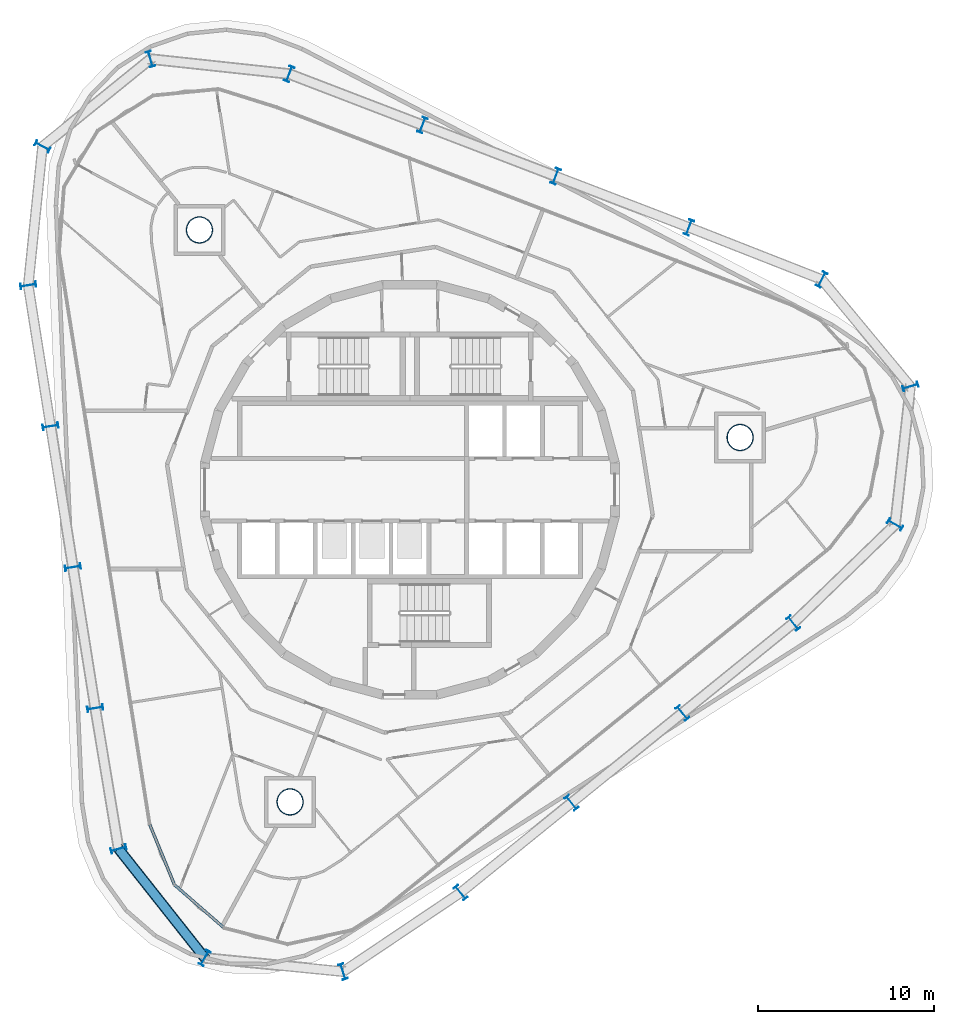
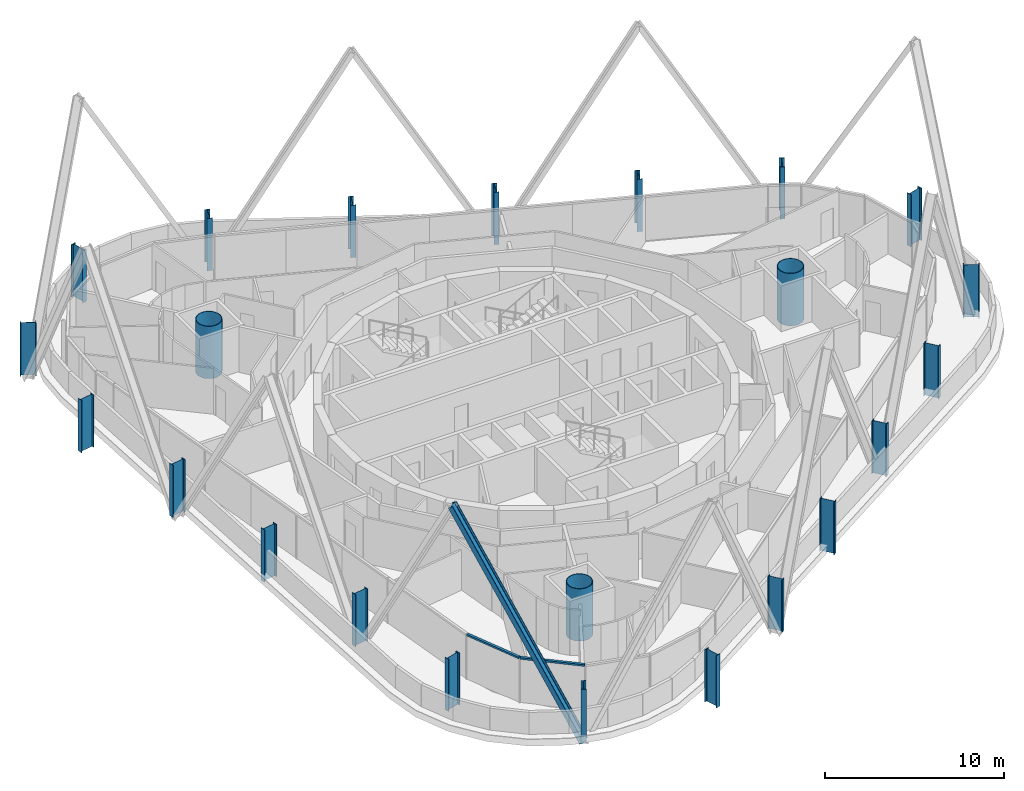
# One storey, part 1 of 19: 23 columns, 3 members, 1 element without a shape of its own.
"""IFC4 building model written with IfcOpenShell, lengths in metres."""

from ifc_helpers import new_model, si_unit, direction, frame, origin, origin_2d, place, context, subcontext, project, spatial, rectangle, hollow_circle, i_section, extrude, material, layer, layer_set, material_profile, profile_set, type_object, element, aggregate, save


model = new_model("IFC4")

# Units and contexts
model_context = context("Model", 3, precision=1e-05, world=origin(), true_north=direction((0.0, 1.0)))
body_context = subcontext(model_context, "Body", "Model", "MODEL_VIEW")
ifc_project = project(units=[si_unit("LENGTHUNIT", "METRE"), si_unit("AREAUNIT", "SQUARE_METRE"), si_unit("VOLUMEUNIT", "CUBIC_METRE"), si_unit("PLANEANGLEUNIT", "RADIAN"), si_unit("MASSUNIT", "GRAM", prefix="KILO")], contexts=[model_context])

# Site, building, storey
site_placement = place(None, origin())
site = spatial("IfcSite", under=ifc_project, at=site_placement, CompositionType="ELEMENT")
building_placement = place(site_placement, origin())
building = spatial("IfcBuilding", under=site, at=building_placement, Name="Spindle Arch Residences", CompositionType="ELEMENT")
storey_placement = place(building_placement, frame((0.0, 0.0, 263.39990234375)))
storey = spatial("IfcBuildingStorey", under=building, at=storey_placement, Name="L67", CompositionType="ELEMENT", Elevation=263.39990234375)

# Columns
ifc_material_1 = material(Name="Steel S460ML, intumescent coating R 240", Category="steel")
ifc_material_profile_1 = material_profile(ifc_material_1, i_section(OverallWidth=0.300048828125, OverallDepth=0.89990234375, WebThickness=0.0185546875, FlangeThickness=0.034912109375, FilletRadius=0.030029296875, at=origin_2d()), Name="HEB 900")
ifc_profile_set_1 = profile_set([ifc_material_profile_1], Name="Steel S460ML, intumescent coating R 240")
column_type_1 = type_object("IfcColumnType", Name="Exoskeleton post HEB 900", PredefinedType="COLUMN", material=ifc_profile_set_1)
for number, where, z_axis, x_axis, name in (
    (1, (15.48291015625, -12.67822265625, -0.449951171875), (0.0, 0.0, 1.0), (-0.777146167973, -0.629320136024, 0.0), "Exoskeleton post 1"),
    (2, (21.78369140625, -7.575927734375, -0.449951171875), (0.0, 0.0, 1.0), (-0.777146167973, -0.629320136024, 0.0), "Exoskeleton post 2"),
    (3, (27.56494140625, -1.975830078125, -0.449951171875), (0.0, 0.0, 1.0), (-0.489802299008, -0.871833532211, 0.0), "Exoskeleton post 3"),
    (4, (28.43505859375, 5.86767578125, -0.449951171875), (0.0, 0.0, 1.0), (0.286784074183, -0.957995247794, 0.0), "Exoskeleton post 4"),
    (5, (23.398193359375, 11.94287109375, -0.449951171875), (0.0, 0.0, 1.0), (0.888285893192, -0.45929094478, 0.0), "Exoskeleton post 5"),
    (6, (15.853515625, 14.9052734375, -0.449951171875), (0.0, 0.0, 1.0), (0.933580354843, -0.35836813621, 0.0), "Exoskeleton post 6"),
    (7, (8.2841796875, 17.810791015625, -0.449951171875), (0.0, 0.0, 1.0), (0.933580354843, -0.35836813621, 0.0), "Exoskeleton post 7"),
    (8, (0.715087890625, 20.71630859375, -0.449951171875), (0.0, 0.0, 1.0), (0.933580354843, -0.35836813621, 0.0), "Exoskeleton post 8"),
    (9, (-6.85400390625, 23.621826171875, -0.449951171875), (0.0, 0.0, 1.0), (0.933580354843, -0.35836813621, 0.0), "Exoskeleton post 9"),
    (10, (-14.7373046875, 24.468994140625, -0.449951171875), (0.0, 0.0, 1.0), (0.961245152333, 0.275695043693, 0.0), "Exoskeleton post 10"),
    (11, (-20.870361328125, 19.502685546875, -0.449951171875), (0.0, 0.0, 1.0), (0.469525073676, 0.882919138534, 0.0), "Exoskeleton post 11"),
    (12, (-21.6806640625, 11.615234375, -0.449951171875), (0.0, 0.0, 1.0), (-0.156434064006, 0.987688404113, 0.0), "Exoskeleton post 12"),
    (13, (-20.412353515625, 3.607666015625, -0.449951171875), (0.0, 0.0, 1.0), (-0.156434064006, 0.987688404113, 0.0), "Exoskeleton post 13"),
    (14, (-19.143798828125, -4.400146484375, -0.449951171875), (0.0, 0.0, 1.0), (-0.156434064006, 0.987688404113, 0.0), "Exoskeleton post 14"),
    (15, (-17.87548828125, -12.407958984375, -0.449951171875), (0.0, 0.0, 1.0), (-0.156434064006, 0.987688404113, 0.0), "Exoskeleton post 15"),
    (16, (-16.546630859375, -20.40380859375, -0.449951171875), (0.0, 0.0, 1.0), (-0.264568938302, 0.964366775084, 0.0), "Exoskeleton post 16"),
    (17, (-11.651611328125, -26.59375, -0.449951171875), (0.0, 0.0, 1.0), (-0.877434810632, 0.479695896472, 0.0), "Exoskeleton post 17"),
    (18, (-3.79833984375, -27.373291015625, -0.449951171875), (0.0, 0.0, 1.0), (-0.95461733225, -0.297835103654, 0.0), "Exoskeleton post 18"),
    (19, (2.88134765625, -22.8828125, -0.449951171875), (0.0, 0.0, 1.0), (-0.777146167973, -0.629320136024, 0.0), "Exoskeleton post 19"),
    (20, (9.18212890625, -17.780517578125, -0.449951171875), (0.0, 0.0, 1.0), (-0.777146167973, -0.629320136024, 0.0), "Exoskeleton post 20"),
):
    element("IfcColumn", number, at=place(storey_placement, frame(where, z_axis=z_axis, x_axis=x_axis)), inside=storey, type_object=column_type_1, Name=name, PredefinedType="COLUMN", context=body_context, shape_type="SweptSolid", body=[
        extrude(i_section(OverallWidth=0.300048828125, OverallDepth=0.89990234375, WebThickness=0.0185546875, FlangeThickness=0.034912109375, FilletRadius=0.030029296875, at=origin_2d()), origin(), (0.0, 0.0, 1.0), 3.570068359375),
    ])
ifc_material_2 = material(Name="Concrete C50/60 filled steel tube S460ML, intumescent coating R 240", Category="concrete")
ifc_material_profile_2 = material_profile(ifc_material_2, hollow_circle(Radius=0.75, WallThickness=0.034912109375, at=origin_2d()), Name="CFT D1500x35")
ifc_profile_set_2 = profile_set([ifc_material_profile_2], Name="Concrete C50/60 filled steel tube S460ML, intumescent coating R 240")
column_type_2 = type_object("IfcColumnType", Name="Mega-column CFT D1500x35", PredefinedType="COLUMN", material=ifc_profile_set_2)
for number, where, z_axis, x_axis, name in (
    (21, (18.759521484375, 2.97119140625, -0.449951171875), (0.0, 0.0, 1.0), (1.0, 0.0, 0.0), "Mega-column 1"),
    (22, (-11.952880859375, 14.760498046875, -0.449951171875), (0.0, 0.0, 1.0), (1.0, 0.0, 0.0), "Mega-column 2"),
    (23, (-6.806640625, -17.731689453125, -0.449951171875), (0.0, 0.0, 1.0), (1.0, 0.0, 0.0), "Mega-column 3"),
):
    element("IfcColumn", number, at=place(storey_placement, frame(where, z_axis=z_axis, x_axis=x_axis)), inside=storey, type_object=column_type_2, Name=name, PredefinedType="COLUMN", context=body_context, shape_type="SweptSolid", body=[
        extrude(hollow_circle(Radius=0.75, WallThickness=0.034912109375, at=origin_2d()), origin(), (0.0, 0.0, 1.0), 3.570068359375),
    ])

# Curtain wall, members
ifc_material_3 = material(Name="Aluminium bronze unitised frame with tinted glass", Category="aluminium")
ifc_layer = layer(ifc_material_3, 0.159912109375)
ifc_layer_set = layer_set([ifc_layer], Name="CW-D corner wall on the fillet arcs")
curtain_wall_type = type_object("IfcCurtainWallType", Name="CW-D corner wall on the fillet arcs", PredefinedType="NOTDEFINED", material=ifc_layer_set)
curtain_wall_placement = place(storey_placement, origin())
curtain_wall = element("IfcCurtainWall", 24, at=curtain_wall_placement, inside=storey, type_object=curtain_wall_type, Name="CW-D L67 run 5", PredefinedType="NOTDEFINED")
ifc_material_4 = material(Name="Aluminium bronze anodised transom", Category="aluminium")
ifc_material_profile_3 = material_profile(ifc_material_4, rectangle(XDim=0.159912109375, YDim=0.1201171875, at=origin_2d()), Name="TR 120x160")
ifc_profile_set_3 = profile_set([ifc_material_profile_3], Name="Aluminium bronze anodised transom")
member_type_1 = type_object("IfcMemberType", Name="Bronze transom 120x160", PredefinedType="USERDEFINED", material=ifc_profile_set_3)
member_1_placement = place(storey_placement, frame((-14.775634765625, -19.0234375, 3.06005859375), z_axis=(0.379996173922, -0.924988058196, 0.0), x_axis=(0.924988058196, 0.379996173922, 0.0)))
member_1 = element("IfcMember", 25, at=member_1_placement, type_object=member_type_1, Name="CW-D transom 01", ObjectType="TRANSOM", PredefinedType="USERDEFINED", context=body_context, shape_type="SweptSolid", body=[
    extrude(rectangle(XDim=0.159912109375, YDim=0.1201171875, at=origin_2d()), origin(), (0.0, 0.0, 1.0), 3.666748046875),
])
member_2_placement = place(storey_placement, frame((-13.348388671875, -22.462646484375, 3.06005859375), z_axis=(0.754721618998, -0.656045179708, 0.0), x_axis=(0.656045179708, 0.754721618998, 0.0)))
member_2 = element("IfcMember", 26, at=member_2_placement, type_object=member_type_1, Name="CW-D transom 02", ObjectType="TRANSOM", PredefinedType="USERDEFINED", context=body_context, shape_type="SweptSolid", body=[
    extrude(rectangle(XDim=0.159912109375, YDim=0.1201171875, at=origin_2d()), origin(), (0.0, 0.0, 1.0), 3.666748046875),
])
aggregate(curtain_wall, [member_1, member_2])

# Member
ifc_material_5 = material(Name="Steel S460ML, intumescent coating R 240", Category="steel")
ifc_material_profile_4 = material_profile(ifc_material_5, i_section(OverallWidth=0.300048828125, OverallDepth=0.60009765625, WebThickness=0.015380859375, FlangeThickness=0.030029296875, FilletRadius=0.027099609375, at=origin_2d()), Name="HEB 600")
ifc_profile_set_4 = profile_set([ifc_material_profile_4], Name="Steel S460ML, intumescent coating R 240")
member_type_2 = type_object("IfcMemberType", Name="Diagrid diagonal HEB 600", PredefinedType="BRACE", material=ifc_profile_set_4)
member_3_placement = place(storey_placement, frame((-11.651611328125, -26.59375, -0.699951171875), z_axis=(-0.303434218419, 0.383704297945, 0.872180421032), x_axis=(0.541001347927, -0.684117115977, 0.489184334549)))
element("IfcMember", 27, at=member_3_placement, inside=storey, type_object=member_type_2, Name="Diagrid diagonal 7.1.16", PredefinedType="BRACE", context=body_context, shape_type="SweptSolid", body=[
    extrude(i_section(OverallWidth=0.300048828125, OverallDepth=0.60009765625, WebThickness=0.015380859375, FlangeThickness=0.030029296875, FilletRadius=0.027099609375, at=origin_2d()), origin(), (0.0, 0.0, 1.0), 16.132080078125),
])

save(model, "model.ifc")
